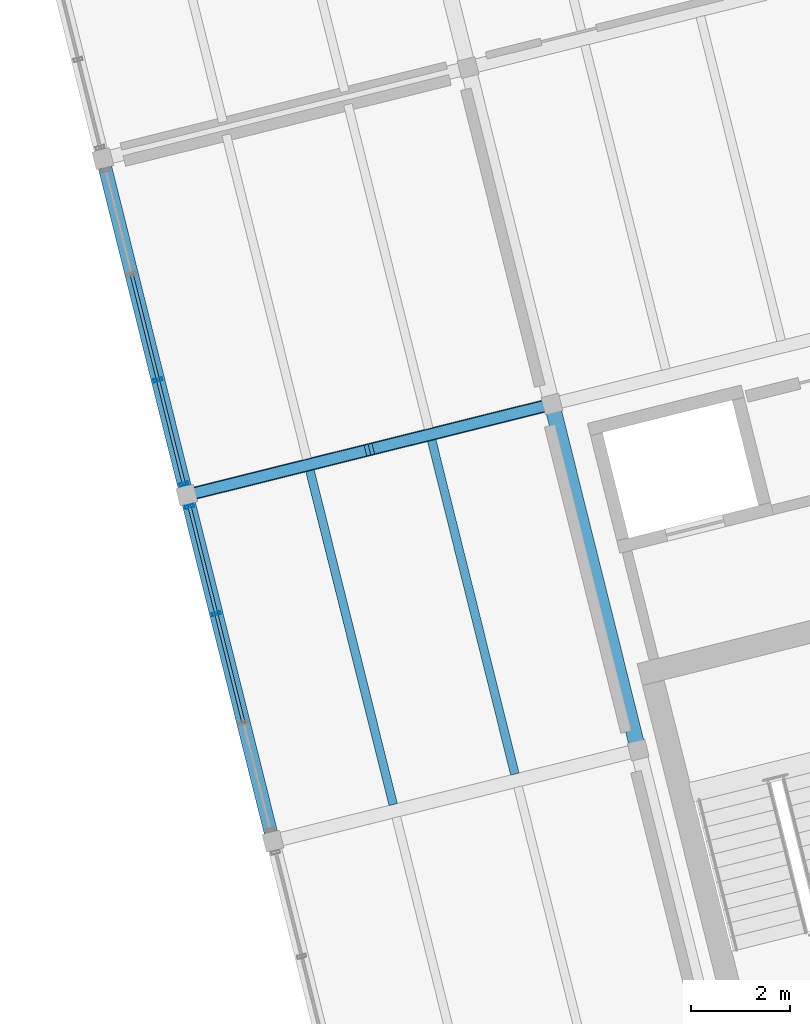
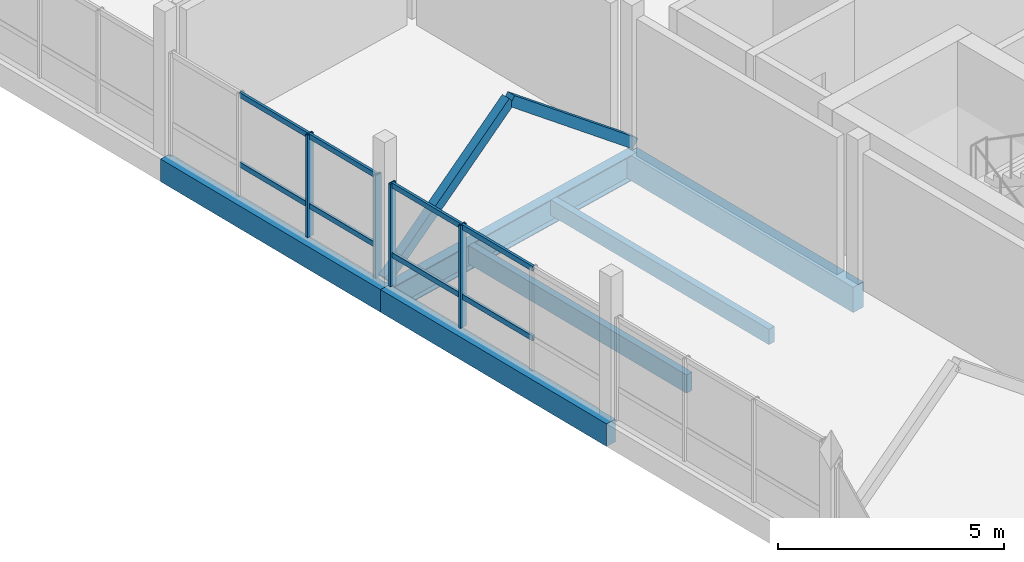
# One storey, part 7 of 26: 14 members, 6 beams, 2 elements without a shape of their own.
"""IFC4 building model written with IfcOpenShell, lengths in metres."""

from ifc_helpers import new_model, si_unit, direction, frame, origin, origin_2d, place, context, subcontext, project, spatial, rectangle, hollow_rectangle, i_section, extrude, material, layer, layer_set, material_profile, profile_set, type_object, element, aggregate, save


model = new_model("IFC4")

# Units and contexts
model_context = context("Model", 3, precision=1e-05, world=origin(), true_north=direction((0.0, 1.0)))
body_context = subcontext(model_context, "Body", "Model", "MODEL_VIEW")
ifc_project = project(units=[si_unit("LENGTHUNIT", "METRE"), si_unit("AREAUNIT", "SQUARE_METRE"), si_unit("VOLUMEUNIT", "CUBIC_METRE"), si_unit("PLANEANGLEUNIT", "RADIAN"), si_unit("MASSUNIT", "GRAM", prefix="KILO")], contexts=[model_context])

# Site, building, storey
site_placement = place(None, origin())
site = spatial("IfcSite", under=ifc_project, at=site_placement, CompositionType="ELEMENT")
building_placement = place(site_placement, origin())
building = spatial("IfcBuilding", under=site, at=building_placement, Name="Meriwether Solvik Hall", CompositionType="ELEMENT")
storey_placement = place(building_placement, frame((0.0, 0.0, 41.699951171875)))
storey = spatial("IfcBuildingStorey", under=building, at=storey_placement, Name="L10", CompositionType="ELEMENT", Elevation=41.699951171875)

# Beams
ifc_material_1 = material(Name="Glulam Douglas-Fir 24F-V8 GL28h", Category="wood")
ifc_material_profile_1 = material_profile(ifc_material_1, rectangle(XDim=0.27294921875, YDim=0.610107421875, at=origin_2d()), Name="GLB-273X610")
ifc_profile_set_1 = profile_set([ifc_material_profile_1], Name="Glulam Douglas-Fir 24F-V8 GL28h")
beam_type_1 = type_object("IfcBeamType", Name="BM-GL-273X610", PredefinedType="SPANDREL", material=ifc_profile_set_1)
beam_1_placement = place(storey_placement, frame((65.261474609375, 54.590087890625, -0.48486328125), z_axis=(-0.241937193493, 0.970291911955, 0.0), x_axis=(-0.970291911955, -0.241937193493, 0.0)))
element("IfcBeam", 1, at=beam_1_placement, inside=storey, type_object=beam_type_1, Name="Tower Girder T1:TC-TD (L10)", PredefinedType="SPANDREL", context=body_context, shape_type="SweptSolid", body=[
    extrude(rectangle(XDim=0.27294921875, YDim=0.610107421875, at=origin_2d()), origin(), (0.0, 0.0, 1.0), 7.199951171875),
])
beam_2_placement = place(storey_placement, frame((63.51953125, 61.576171875, -0.48486328125), z_axis=(-0.241911879182, 0.970298223594, 0.0), x_axis=(-0.970298223594, -0.241911879182, 0.0)))
element("IfcBeam", 2, at=beam_2_placement, inside=storey, type_object=beam_type_1, Name="Tower Girder T1:TD-TE (L10)", PredefinedType="SPANDREL", context=body_context, shape_type="SweptSolid", body=[
    extrude(rectangle(XDim=0.27294921875, YDim=0.610107421875, at=origin_2d()), origin(), (0.0, 0.0, 1.0), 7.0),
])
ifc_material_2 = material(Name="Glulam Douglas-Fir 24F-V8 GL28h", Category="wood")
ifc_material_profile_2 = material_profile(ifc_material_2, rectangle(XDim=0.31494140625, YDim=0.68505859375, at=origin_2d()), Name="GLB-315X685")
ifc_profile_set_2 = profile_set([ifc_material_profile_2], Name="Glulam Douglas-Fir 24F-V8 GL28h")
beam_type_2 = type_object("IfcBeamType", Name="BM-GL-315X685", PredefinedType="BEAM", material=ifc_profile_set_2)
beam_3_placement = place(storey_placement, frame((72.6357421875, 56.4287109375, -0.5224609375), z_axis=(-0.241937193493, 0.970291911955, 0.0), x_axis=(-0.970291911955, -0.241937193493, 0.0)))
element("IfcBeam", 3, at=beam_3_placement, inside=storey, type_object=beam_type_2, Name="Tower Girder T2:TC-TD (L10)", PredefinedType="BEAM", context=body_context, shape_type="SweptSolid", body=[
    extrude(rectangle(XDim=0.31494140625, YDim=0.68505859375, at=origin_2d()), origin(), (0.0, 0.0, 1.0), 7.199951171875),
])
ifc_material_3 = material(Name="Steel A992 Grade 50", Category="steel")
ifc_material_profile_3 = material_profile(ifc_material_3, i_section(OverallWidth=0.256103515625, OverallDepth=0.693115234375, WebThickness=0.014404296875, FlangeThickness=0.023681640625, at=origin_2d()), Name="W27X114")
ifc_profile_set_3 = profile_set([ifc_material_profile_3], Name="Steel A992 Grade 50")
beam_type_3 = type_object("IfcBeamType", Name="BM-STL-W27X114", PredefinedType="BEAM", material=ifc_profile_set_3)
beam_4_placement = place(storey_placement, frame((63.51953125, 61.576171875, -0.5263671875), z_axis=(0.970295366785, 0.241923337436, 0.0), x_axis=(-0.241923337436, 0.970295366785, 0.0)))
element("IfcBeam", 4, at=beam_4_placement, inside=storey, type_object=beam_type_3, Name="Tower Girder TD:T1-T2 (L10)", PredefinedType="BEAM", context=body_context, shape_type="SweptSolid", body=[
    extrude(i_section(OverallWidth=0.256103515625, OverallDepth=0.693115234375, WebThickness=0.014404296875, FlangeThickness=0.023681640625, at=origin_2d()), origin(), (0.0, 0.0, 1.0), 7.60009765625),
])

# Curtain wall, members
ifc_material_4 = material(Name="Thermally Broken Anodised Aluminium 6063-T6 and Low-E Glass", Category="aluminium")
ifc_layer_1 = layer(ifc_material_4, 0.179931640625)
ifc_layer_set_1 = layer_set([ifc_layer_1], Name="Thermally Broken Anodised Aluminium 6063-T6 and Low-E Glass")
curtain_wall_type_1 = type_object("IfcCurtainWallType", Name="CW-UNIT-C", PredefinedType="USERDEFINED", material=ifc_layer_set_1)
curtain_wall_1_placement = place(storey_placement, origin())
curtain_wall_1 = element("IfcCurtainWall", 5, at=curtain_wall_1_placement, inside=storey, type_object=curtain_wall_type_1, Name="Curtain Wall E7_B2 (L10)", ObjectType="UNITISED CURTAIN WALL", PredefinedType="USERDEFINED")
ifc_material_5 = material(Name="Anodised Aluminium 6063-T6", Category="aluminium")
ifc_material_profile_4 = material_profile(ifc_material_5, hollow_rectangle(XDim=0.06494140625, YDim=0.179931640625, WallThickness=0.00439453125, at=origin_2d()), Name="CWM-65X180")
ifc_profile_set_4 = profile_set([ifc_material_profile_4], Name="Anodised Aluminium 6063-T6")
member_type_1 = type_object("IfcMemberType", Name="CW-MUL-65X180", PredefinedType="MULLION", material=ifc_profile_set_4)
member_1_placement = place(storey_placement, frame((64.115966796875, 59.1845703125, 0.0), z_axis=(0.0, 0.0, 1.0), x_axis=(-0.241921897937, 0.970295725693, 0.0)))
member_1 = element("IfcMember", 6, at=member_1_placement, type_object=member_type_1, Name="Curtain Wall Mullion 3", PredefinedType="MULLION", context=body_context, shape_type="SweptSolid", body=[
    extrude(hollow_rectangle(XDim=0.06494140625, YDim=0.179931640625, WallThickness=0.00439453125, at=origin_2d()), origin(), (0.0, 0.0, 1.0), 2.77001953125),
])
member_2_placement = place(storey_placement, frame((63.575927734375, 61.3505859375, 0.0), z_axis=(0.0, 0.0, 1.0), x_axis=(-0.241921897937, 0.970295725693, 0.0)))
member_2 = element("IfcMember", 7, at=member_2_placement, type_object=member_type_1, Name="Curtain Wall Mullion 4", PredefinedType="MULLION", context=body_context, shape_type="SweptSolid", body=[
    extrude(hollow_rectangle(XDim=0.06494140625, YDim=0.179931640625, WallThickness=0.00439453125, at=origin_2d()), origin(), (0.0, 0.0, 1.0), 2.77001953125),
])

ifc_material_6 = material(Name="Thermally Broken Anodised Aluminium 6063-T6 and Low-E Glass", Category="aluminium")
ifc_layer_2 = layer(ifc_material_6, 0.179931640625)
ifc_layer_set_2 = layer_set([ifc_layer_2], Name="Thermally Broken Anodised Aluminium 6063-T6 and Low-E Glass")
curtain_wall_type_2 = type_object("IfcCurtainWallType", Name="CW-UNIT-D", PredefinedType="USERDEFINED", material=ifc_layer_set_2)
curtain_wall_2_placement = place(storey_placement, origin())
curtain_wall_2 = element("IfcCurtainWall", 8, at=curtain_wall_2_placement, inside=storey, type_object=curtain_wall_type_2, Name="Curtain Wall E7_B3 (L10)", ObjectType="UNITISED CURTAIN WALL", PredefinedType="USERDEFINED")
member_3_placement = place(storey_placement, frame((63.46337890625, 61.8017578125, 0.0), z_axis=(0.0, 0.0, 1.0), x_axis=(-0.241921804422, 0.970295749009, 0.0)))
member_3 = element("IfcMember", 9, at=member_3_placement, type_object=member_type_1, Name="Curtain Wall Mullion 1", PredefinedType="MULLION", context=body_context, shape_type="SweptSolid", body=[
    extrude(hollow_rectangle(XDim=0.06494140625, YDim=0.179931640625, WallThickness=0.00439453125, at=origin_2d()), origin(), (0.0, 0.0, 1.0), 2.77001953125),
])
member_4_placement = place(storey_placement, frame((62.939453125, 63.903076171875, 0.0), z_axis=(0.0, 0.0, 1.0), x_axis=(-0.241921804422, 0.970295749009, 0.0)))
member_4 = element("IfcMember", 10, at=member_4_placement, type_object=member_type_1, Name="Curtain Wall Mullion 2", PredefinedType="MULLION", context=body_context, shape_type="SweptSolid", body=[
    extrude(hollow_rectangle(XDim=0.06494140625, YDim=0.179931640625, WallThickness=0.00439453125, at=origin_2d()), origin(), (0.0, 0.0, 1.0), 2.77001953125),
])

# Member
ifc_material_7 = material(Name="Anodised Aluminium 6063-T6", Category="aluminium")
ifc_material_profile_5 = material_profile(ifc_material_7, hollow_rectangle(XDim=0.06494140625, YDim=0.139892578125, WallThickness=0.00439453125, at=origin_2d()), Name="CWT-65X140")
ifc_profile_set_5 = profile_set([ifc_material_profile_5], Name="Anodised Aluminium 6063-T6")
member_type_2 = type_object("IfcMemberType", Name="CW-TRN-65X140", PredefinedType="USERDEFINED", material=ifc_profile_set_5)
member_5_placement = place(storey_placement, frame((64.665283203125, 56.981689453125, 0.8310546875), z_axis=(-0.241953627576, 0.970287814054, 0.0), x_axis=(-0.970287814054, -0.241953627576, 0.0)))
member_5 = element("IfcMember", 11, at=member_5_placement, type_object=member_type_2, Name="Curtain Wall Transom 2-sill", ObjectType="TRANSOM", PredefinedType="USERDEFINED", context=body_context, shape_type="SweptSolid", body=[
    extrude(hollow_rectangle(XDim=0.06494140625, YDim=0.139892578125, WallThickness=0.00439453125, at=origin_2d()), origin(), (0.0, 0.0, 1.0), 2.270263671875),
])

member_6_placement = place(storey_placement, frame((64.665283203125, 56.981689453125, 2.7099609375), z_axis=(-0.241953627576, 0.970287814054, 0.0), x_axis=(-0.970287814054, -0.241953627576, 0.0)))
member_6 = element("IfcMember", 12, at=member_6_placement, type_object=member_type_2, Name="Curtain Wall Transom 2-head", ObjectType="TRANSOM", PredefinedType="USERDEFINED", context=body_context, shape_type="SweptSolid", body=[
    extrude(hollow_rectangle(XDim=0.06494140625, YDim=0.139892578125, WallThickness=0.00439453125, at=origin_2d()), origin(), (0.0, 0.0, 1.0), 2.270263671875),
])

member_7_placement = place(storey_placement, frame((64.115966796875, 59.1845703125, 0.8310546875), z_axis=(-0.241917978668, 0.970296702868, 0.0), x_axis=(-0.970296702868, -0.241917978668, 0.0)))
member_7 = element("IfcMember", 13, at=member_7_placement, type_object=member_type_2, Name="Curtain Wall Transom 3-sill", ObjectType="TRANSOM", PredefinedType="USERDEFINED", context=body_context, shape_type="SweptSolid", body=[
    extrude(hollow_rectangle(XDim=0.06494140625, YDim=0.139892578125, WallThickness=0.00439453125, at=origin_2d()), origin(), (0.0, 0.0, 1.0), 2.232421875),
])

member_8_placement = place(storey_placement, frame((64.115966796875, 59.1845703125, 2.7099609375), z_axis=(-0.241917978668, 0.970296702868, 0.0), x_axis=(-0.970296702868, -0.241917978668, 0.0)))
member_8 = element("IfcMember", 14, at=member_8_placement, type_object=member_type_2, Name="Curtain Wall Transom 3-head", ObjectType="TRANSOM", PredefinedType="USERDEFINED", context=body_context, shape_type="SweptSolid", body=[
    extrude(hollow_rectangle(XDim=0.06494140625, YDim=0.139892578125, WallThickness=0.00439453125, at=origin_2d()), origin(), (0.0, 0.0, 1.0), 2.232421875),
])

aggregate(curtain_wall_1, [member_1, member_2, member_5, member_6, member_7, member_8])

member_9_placement = place(storey_placement, frame((63.46337890625, 61.8017578125, 0.8310546875), z_axis=(-0.241925491414, 0.970294829732, 0.0), x_axis=(-0.970294829732, -0.241925491414, 0.0)))
member_9 = element("IfcMember", 15, at=member_9_placement, type_object=member_type_2, Name="Curtain Wall Transom 1-sill", ObjectType="TRANSOM", PredefinedType="USERDEFINED", context=body_context, shape_type="SweptSolid", body=[
    extrude(hollow_rectangle(XDim=0.06494140625, YDim=0.139892578125, WallThickness=0.00439453125, at=origin_2d()), origin(), (0.0, 0.0, 1.0), 2.16552734375),
])

member_10_placement = place(storey_placement, frame((63.46337890625, 61.8017578125, 2.7099609375), z_axis=(-0.241925491414, 0.970294829732, 0.0), x_axis=(-0.970294829732, -0.241925491414, 0.0)))
member_10 = element("IfcMember", 16, at=member_10_placement, type_object=member_type_2, Name="Curtain Wall Transom 1-head", ObjectType="TRANSOM", PredefinedType="USERDEFINED", context=body_context, shape_type="SweptSolid", body=[
    extrude(hollow_rectangle(XDim=0.06494140625, YDim=0.139892578125, WallThickness=0.00439453125, at=origin_2d()), origin(), (0.0, 0.0, 1.0), 2.16552734375),
])

member_11_placement = place(storey_placement, frame((62.939453125, 63.903076171875, 0.8310546875), z_axis=(-0.241962089235, 0.970285703993, 0.0), x_axis=(-0.970285703993, -0.241962089235, 0.0)))
member_11 = element("IfcMember", 17, at=member_11_placement, type_object=member_type_2, Name="Curtain Wall Transom 2-sill", ObjectType="TRANSOM", PredefinedType="USERDEFINED", context=body_context, shape_type="SweptSolid", body=[
    extrude(hollow_rectangle(XDim=0.06494140625, YDim=0.139892578125, WallThickness=0.00439453125, at=origin_2d()), origin(), (0.0, 0.0, 1.0), 2.20361328125),
])

member_12_placement = place(storey_placement, frame((62.939453125, 63.903076171875, 2.7099609375), z_axis=(-0.241962089235, 0.970285703993, 0.0), x_axis=(-0.970285703993, -0.241962089235, 0.0)))
member_12 = element("IfcMember", 18, at=member_12_placement, type_object=member_type_2, Name="Curtain Wall Transom 2-head", ObjectType="TRANSOM", PredefinedType="USERDEFINED", context=body_context, shape_type="SweptSolid", body=[
    extrude(hollow_rectangle(XDim=0.06494140625, YDim=0.139892578125, WallThickness=0.00439453125, at=origin_2d()), origin(), (0.0, 0.0, 1.0), 2.20361328125),
])

aggregate(curtain_wall_2, [member_3, member_4, member_9, member_10, member_11, member_12])

# Beams
ifc_material_8 = material(Name="Glulam Douglas-Fir 24F-V8 GL28h", Category="wood")
ifc_material_profile_6 = material_profile(ifc_material_8, rectangle(XDim=0.175048828125, YDim=0.419921875, at=origin_2d()), Name="GLJ-175X420")
ifc_profile_set_6 = profile_set([ifc_material_profile_6], Name="Glulam Douglas-Fir 24F-V8 GL28h")
beam_type_4 = type_object("IfcBeamType", Name="JST-GL-175X420", PredefinedType="JOIST", material=ifc_profile_set_6)
beam_5_placement = place(storey_placement, frame((70.145751953125, 55.943359375, -0.389892578125), z_axis=(-0.241906997216, 0.970299440739, 0.0), x_axis=(-0.970299440739, -0.241906997216, 0.0)))
element("IfcBeam", 19, at=beam_5_placement, inside=storey, type_object=beam_type_4, Name="Glulam Floor Joist T1/TC-J2 (L10)", PredefinedType="JOIST", context=body_context, shape_type="SweptSolid", body=[
    extrude(rectangle(XDim=0.175048828125, YDim=0.419921875, at=origin_2d()), origin(), (0.0, 0.0, 1.0), 6.945556640625),
])
ifc_material_9 = material(Name="Glulam Douglas-Fir 24F-V8 GL28h", Category="wood")
ifc_material_profile_7 = material_profile(ifc_material_9, rectangle(XDim=0.175048828125, YDim=0.4951171875, at=origin_2d()), Name="GLJ-175X495")
ifc_profile_set_7 = profile_set([ifc_material_profile_7], Name="Glulam Douglas-Fir 24F-V8 GL28h")
beam_type_5 = type_object("IfcBeamType", Name="JST-GL-175X495", PredefinedType="JOIST", material=ifc_profile_set_7)
beam_6_placement = place(storey_placement, frame((67.687744140625, 55.33056640625, -0.427490234375), z_axis=(-0.241906997216, 0.970299440739, 0.0), x_axis=(-0.970299440739, -0.241906997216, 0.0)))
element("IfcBeam", 20, at=beam_6_placement, inside=storey, type_object=beam_type_5, Name="Glulam Floor Joist T1/TC-J1 (L10)", PredefinedType="JOIST", context=body_context, shape_type="SweptSolid", body=[
    extrude(rectangle(XDim=0.175048828125, YDim=0.4951171875, at=origin_2d()), origin(), (0.0, 0.0, 1.0), 6.945556640625),
])

# Members
ifc_material_10 = material(Name="Glulam Douglas-Fir 24F-V8 GL28h", Category="wood")
ifc_material_profile_8 = material_profile(ifc_material_10, rectangle(XDim=0.221923828125, YDim=0.26708984375, at=origin_2d()), Name="GLM-222X267")
ifc_profile_set_8 = profile_set([ifc_material_profile_8], Name="Glulam Douglas-Fir 24F-V8 GL28h")
member_type_3 = type_object("IfcMemberType", Name="MEM-BR-GL222", PredefinedType="BRACE", material=ifc_profile_set_8)
member_13_placement = place(storey_placement, frame((63.51953125, 61.576171875, 0.050048828125), z_axis=(0.761100107516, 0.189783685685, 0.620248965325), x_axis=(-0.241946039438, 0.970289706222, 0.0)))
element("IfcMember", 21, at=member_13_placement, inside=storey, type_object=member_type_3, Name="Tower Chevron Brace L10-B2A", PredefinedType="BRACE", context=body_context, shape_type="SweptSolid", body=[
    extrude(rectangle(XDim=0.221923828125, YDim=0.26708984375, at=origin_2d()), origin(), (0.0, 0.0, 1.0), 4.8447265625),
])
member_14_placement = place(storey_placement, frame((70.893798828125, 63.414794921875, 0.050048828125), z_axis=(-0.761086182831, -0.189742383682, 0.620278687477), x_axis=(0.241900633533, -0.970301027257, 0.0)))
element("IfcMember", 22, at=member_14_placement, inside=storey, type_object=member_type_3, Name="Tower Chevron Brace L10-B2B", PredefinedType="BRACE", context=body_context, shape_type="SweptSolid", body=[
    extrude(rectangle(XDim=0.221923828125, YDim=0.26708984375, at=origin_2d()), origin(), (0.0, 0.0, 1.0), 4.844482421875),
])

save(model, "model.ifc")
